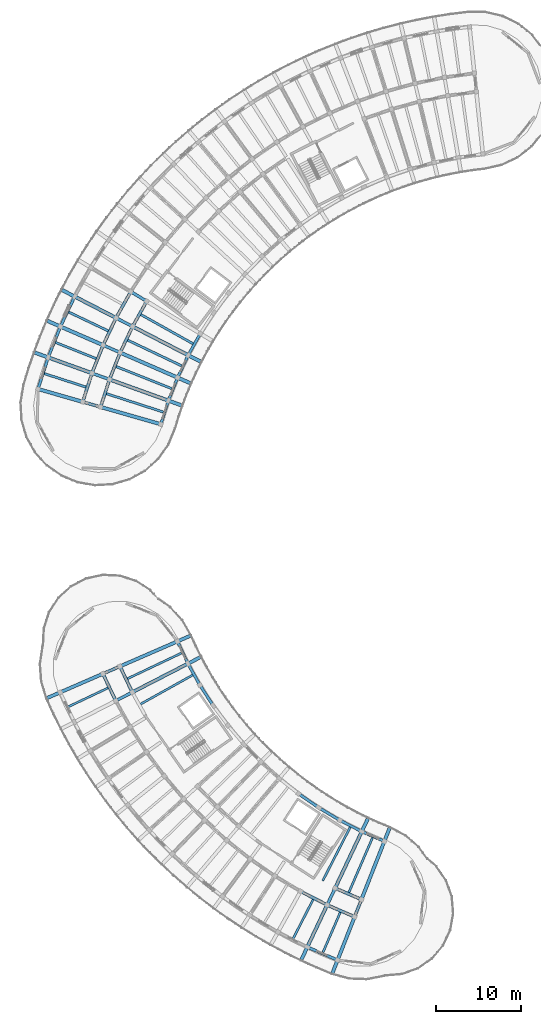
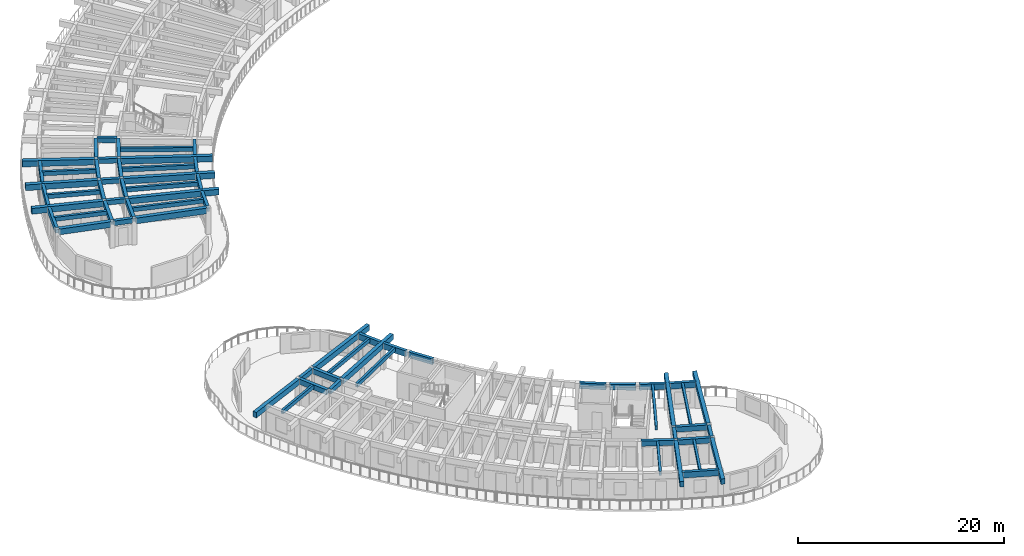
# One storey, part 5 of 56: 66 beams.
"""IFC4 building model written with IfcOpenShell, lengths in metres."""

import ifcopenshell
import ifcopenshell.guid

model = None  # the IFC model being written
_history = None  # IfcOwnerHistory: only IFC2X3 demands one
_inside = {}  # id of a spatial element -> (the spatial element, [elements in it])
_under = {}  # id of a project, library or spatial element -> (it, [spatial elements below it])
_declared = {}  # id of a project -> (the project, [libraries it declares])
_typed = {}  # id of a type object -> (the type object, [elements of that type])
_made_of = {}  # id of a material, layer set ... -> (it, [elements and type objects made of it])


def new_model(schema):
    """Start an empty IFC model of exactly this schema.

    Asked for "IFC4X3", IfcOpenShell would pick the latest addendum, in which some entities
    have other attributes; the version numbers below select the first issue.
    IFC2X3 requires an IfcOwnerHistory on every rooted entity: one is made here for all.
    """
    global model, _history
    if schema == "IFC4X3":
        model = ifcopenshell.file(schema_version=(4, 3, 0, 0))
    else:
        model = ifcopenshell.file(schema=schema)
    _inside.clear()
    _under.clear()
    _declared.clear()
    _typed.clear()
    _made_of.clear()
    _history = None
    if model.schema == "IFC2X3":
        org = make("IfcOrganization", Name="unknown")
        user = make(
            "IfcPersonAndOrganization",
            ThePerson=make("IfcPerson", FamilyName="unknown"),
            TheOrganization=org,
        )
        app = make(
            "IfcApplication",
            ApplicationDeveloper=org,
            Version="unknown",
            ApplicationFullName="unknown",
            ApplicationIdentifier="unknown",
        )
        _history = make(
            "IfcOwnerHistory",
            OwningUser=user,
            OwningApplication=app,
            ChangeAction="ADDED",
            CreationDate=0,
        )
    return model


def make(cls, **values):
    """One entity of the class cls with the attributes given. An attribute that is None is left unset."""
    return model.create_entity(
        cls, **{name: value for name, value in values.items() if value is not None}
    )


def rooted(cls, **values):
    """An entity with a GlobalId (a new one), such as an element, a storey or a relation."""
    return make(cls, GlobalId=ifcopenshell.guid.new(), OwnerHistory=_history, **values)


def si_unit(unit_type, name, prefix=None):
    """IfcSIUnit, for example si_unit("LENGTHUNIT", "METRE", prefix="MILLI")."""
    return make("IfcSIUnit", UnitType=unit_type, Prefix=prefix, Name=name)


def assignment(units):
    """IfcUnitAssignment: the units of a project."""
    return None if units is None else make("IfcUnitAssignment", Units=units)


def point(xyz):
    """IfcCartesianPoint."""
    return None if xyz is None else make("IfcCartesianPoint", Coordinates=xyz)


def direction(xyz):
    """IfcDirection."""
    return None if xyz is None else make("IfcDirection", DirectionRatios=xyz)


def frame(location, z_axis=None, x_axis=None):
    """IfcAxis2Placement3D, a coordinate frame: its origin and axes. An axis left out is left unset."""
    return make(
        "IfcAxis2Placement3D",
        Location=point(location),
        Axis=direction(z_axis),
        RefDirection=direction(x_axis),
    )


def frame_2d(location, x_axis=None):
    """IfcAxis2Placement2D, a coordinate frame in the plane: its origin and x axis."""
    return make(
        "IfcAxis2Placement2D", Location=point(location), RefDirection=direction(x_axis)
    )


def origin():
    """The frame at (0, 0, 0) with its axes left unset."""
    return frame((0.0, 0.0, 0.0))


def origin_2d():
    """The frame at (0, 0) in the plane with its x axis left unset."""
    return frame_2d((0.0, 0.0))


def place(relative_to, where):
    """IfcLocalPlacement: puts the frame where relative to a parent placement (None: the world)."""
    return make(
        "IfcLocalPlacement", PlacementRelTo=relative_to, RelativePlacement=where
    )


def context(
    kind, dimensions, precision=None, world=None, true_north=None, identifier=None
):
    """IfcGeometricRepresentationContext, for example the 3D "Model" context."""
    return make(
        "IfcGeometricRepresentationContext",
        ContextIdentifier=identifier,
        ContextType=kind,
        CoordinateSpaceDimension=dimensions,
        Precision=precision,
        WorldCoordinateSystem=world,
        TrueNorth=true_north,
    )


def subcontext(parent, identifier, kind, view, scale=None):
    """IfcGeometricRepresentationSubContext, for example "Body" below "Model"."""
    return make(
        "IfcGeometricRepresentationSubContext",
        ContextIdentifier=identifier,
        ContextType=kind,
        ParentContext=parent,
        TargetScale=scale,
        TargetView=view,
    )


def project(units=None, contexts=None):
    """IfcProject with its units and contexts."""
    return rooted(
        "IfcProject",
        Name="project",
        RepresentationContexts=contexts,
        UnitsInContext=assignment(units),
    )


def spatial(cls, under=None, at=None, **own):
    """A site, building, storey or space (cls), placed at a placement, below another one or the project."""
    s = rooted(cls, ObjectPlacement=at, **own)
    if under is not None:
        _under.setdefault(under.id(), (under, []))[1].append(s)
    return s


def profile(cls, at=None, kind="AREA", **sizes):
    """A parametric profile (cls). Its sizes go by their IFC names, for example OverallWidth=200.0."""
    return make(cls, ProfileType=kind, Position=at, **sizes)


def rectangle(**sizes):
    """IfcRectangleProfileDef."""
    return profile("IfcRectangleProfileDef", **sizes)


def extrude(swept, where, along, depth):
    """IfcExtrudedAreaSolid: the profile swept, set in the frame where, extruded along a direction by depth."""
    return make(
        "IfcExtrudedAreaSolid",
        SweptArea=swept,
        Position=where,
        ExtrudedDirection=direction(along),
        Depth=depth,
    )


def shape(context_of_items, identifier, shape_type, items):
    """IfcShapeRepresentation: the items that make up one representation, for example the "Body"."""
    return make(
        "IfcShapeRepresentation",
        ContextOfItems=context_of_items,
        RepresentationIdentifier=identifier,
        RepresentationType=shape_type,
        Items=items,
    )


def material(Name=None, Category=None):
    """IfcMaterial."""
    return make("IfcMaterial", Name=Name, Category=Category)


def material_profile(
    of_material, cross_section, Name=None, Category=None, Priority=None
):
    """IfcMaterialProfile: a cross section and its material."""
    return make(
        "IfcMaterialProfile",
        Name=Name,
        Material=of_material,
        Profile=cross_section,
        Priority=Priority,
        Category=Category,
    )


def profile_set(profiles, Name=None, composite=None):
    """IfcMaterialProfileSet."""
    return make(
        "IfcMaterialProfileSet",
        Name=Name,
        MaterialProfiles=profiles,
        CompositeProfile=composite,
    )


def made_of(thing, what):
    """Note that an element or type object is made of a material, layer set ...; save() writes the relation."""
    if what is not None:
        _made_of.setdefault(what.id(), (what, []))[1].append(thing)
    return thing


def type_object(cls, material=None, **own):
    """A type object (cls), such as IfcWallType, which elements share."""
    return made_of(rooted(cls, **own), material)


def element(
    cls,
    number,
    at=None,
    inside=None,
    cuts=None,
    type_object=None,
    material=None,
    context=None,
    identifier="Body",
    shape_type=None,
    held_by="IfcProductDefinitionShape",
    body=None,
    shapes=None,
    **own,
):
    """One element of the class cls, such as IfcWall. Its Tag is "e" and its number.

    at: its placement. inside: the storey or other place that contains it. cuts: it is an
    opening in that element (IfcRelVoidsElement). A single representation is given by context,
    identifier, shape_type and body (its items); several are given by shapes. held_by: the class
    of the entity that holds the representations. save() writes the other relations.
    """
    e = rooted(cls, Tag="e%d" % number, ObjectPlacement=at, **own)
    if body is not None:
        shapes = [shape(context, identifier, shape_type, body)]
    if shapes is not None:
        e.Representation = make(held_by, Representations=shapes)
    if inside is not None:
        _inside.setdefault(inside.id(), (inside, []))[1].append(e)
    if cuts is not None:
        rooted(
            "IfcRelVoidsElement", RelatingBuildingElement=cuts, RelatedOpeningElement=e
        )
    if type_object is not None:
        _typed.setdefault(type_object.id(), (type_object, []))[1].append(e)
    return made_of(e, material)


def aggregate(whole, parts):
    """IfcRelAggregates: a whole, such as a stair, and the parts it consists of."""
    return rooted("IfcRelAggregates", RelatingObject=whole, RelatedObjects=parts)


def save(model, path):
    """Write the relations noted so far, then the file.

    IfcRelAggregates (storeys below a building ...), IfcRelContainedInSpatialStructure (elements
    in a storey), IfcRelDefinesByType, IfcRelAssociatesMaterial and IfcRelDeclares: one each for
    every whole, place, type object, material and project.
    """
    for whole, parts in _under.values():
        aggregate(whole, parts)
    for where, things in _inside.values():
        rooted(
            "IfcRelContainedInSpatialStructure",
            RelatedElements=things,
            RelatingStructure=where,
        )
    for kind, things in _typed.values():
        rooted("IfcRelDefinesByType", RelatedObjects=things, RelatingType=kind)
    for what, things in _made_of.values():
        rooted("IfcRelAssociatesMaterial", RelatedObjects=things, RelatingMaterial=what)
    for by, libraries in _declared.values():
        rooted("IfcRelDeclares", RelatingContext=by, RelatedDefinitions=libraries)
    model.write(path)


model = new_model("IFC4")

# Units and contexts
model_context = context("Model", 3, precision=1e-05, world=origin(), true_north=direction((0.0, 1.0)))
body_context = subcontext(model_context, "Body", "Model", "MODEL_VIEW")
ifc_project = project(units=[si_unit("LENGTHUNIT", "METRE"), si_unit("AREAUNIT", "SQUARE_METRE"), si_unit("VOLUMEUNIT", "CUBIC_METRE"), si_unit("PLANEANGLEUNIT", "RADIAN"), si_unit("MASSUNIT", "GRAM", prefix="KILO")], contexts=[model_context])

# Site, building, storey
site_placement = place(None, origin())
site = spatial("IfcSite", under=ifc_project, at=site_placement, CompositionType="ELEMENT")
building_placement = place(site_placement, origin())
building = spatial("IfcBuilding", under=site, at=building_placement, Name="Tanwirah Colonnade Gardens", CompositionType="ELEMENT")
storey_placement = place(building_placement, frame((0.0, 0.0, 29.0)))
storey = spatial("IfcBuildingStorey", under=building, at=storey_placement, Name="L08", CompositionType="ELEMENT", Elevation=29.0)

# Beams
ifc_material_1 = material(Name="Precast concrete C40/50", Category="concrete")
ifc_material_profile_1 = material_profile(ifc_material_1, rectangle(XDim=0.360107421875, YDim=0.610107421875, at=origin_2d()), Name="PC-BM 360x610")
ifc_profile_set_1 = profile_set([ifc_material_profile_1], Name="Precast concrete C40/50")
beam_type_1 = type_object("IfcBeamType", Name="BM-PC300", PredefinedType="BEAM", material=ifc_profile_set_1)
beam_1_placement = place(storey_placement, frame((17.5146484375, 43.689453125, 2.81005859375), z_axis=(0.428520598641, -0.903532011907, 0.0), x_axis=(0.903532011907, 0.428520598641, 0.0)))
element("IfcBeam", 1, at=beam_1_placement, inside=storey, type_object=beam_type_1, Name="Block C L08 Circumferential Beam 2-R1", PredefinedType="BEAM", context=body_context, shape_type="SweptSolid", body=[
    extrude(rectangle(XDim=0.360107421875, YDim=0.610107421875, at=origin_2d()), origin(), (0.0, 0.0, 1.0), 3.093017578125),
])
beam_2_placement = place(storey_placement, frame((15.4970703125, 42.81201171875, 2.81005859375), z_axis=(0.428562893949, -0.903511951183, 0.0), x_axis=(0.903511951183, 0.428562893949, 0.0)))
element("IfcBeam", 2, at=beam_2_placement, inside=storey, type_object=beam_type_1, Name="Block C L08 Circumferential Beam 2-R2", PredefinedType="BEAM", context=body_context, shape_type="SweptSolid", body=[
    extrude(rectangle(XDim=0.360107421875, YDim=0.610107421875, at=origin_2d()), origin(), (0.0, 0.0, 1.0), 3.23681640625),
])
beam_3_placement = place(storey_placement, frame((38.929443359375, 17.158447265625, 2.81005859375), z_axis=(0.890025451153, -0.45591084249, 0.0), x_axis=(0.45591084249, 0.890025451153, 0.0)))
element("IfcBeam", 3, at=beam_3_placement, inside=storey, type_object=beam_type_1, Name="Block C L08 Circumferential Beam 12-R2", PredefinedType="BEAM", context=body_context, shape_type="SweptSolid", body=[
    extrude(rectangle(XDim=0.360107421875, YDim=0.610107421875, at=origin_2d()), origin(), (0.0, 0.0, 1.0), 3.237060546875),
])
beam_4_placement = place(storey_placement, frame((43.02001953125, 17.54443359375, 2.81005859375), z_axis=(0.917936292782, -0.396727819032, 0.0), x_axis=(0.396727819032, 0.917936292782, 0.0)))
element("IfcBeam", 4, at=beam_4_placement, inside=storey, type_object=beam_type_1, Name="Block C L08 Circumferential Beam 13-R1", PredefinedType="BEAM", context=body_context, shape_type="SweptSolid", body=[
    extrude(rectangle(XDim=0.360107421875, YDim=0.610107421875, at=origin_2d()), origin(), (0.0, 0.0, 1.0), 3.093017578125),
])
beam_5_placement = place(storey_placement, frame((42.08154296875, 15.5546875, 2.81005859375), z_axis=(0.917943156181, -0.396711938338, 0.0), x_axis=(0.396711938338, 0.917943156181, 0.0)))
element("IfcBeam", 5, at=beam_5_placement, inside=storey, type_object=beam_type_1, Name="Block C L08 Circumferential Beam 13-R2", PredefinedType="BEAM", context=body_context, shape_type="SweptSolid", body=[
    extrude(rectangle(XDim=0.360107421875, YDim=0.610107421875, at=origin_2d()), origin(), (0.0, 0.0, 1.0), 3.237060546875),
])
ifc_material_profile_2 = material_profile(ifc_material_1, rectangle(XDim=0.35009765625, YDim=0.550048828125, at=origin_2d()), Name="PC-BM 350x550")
ifc_profile_set_2 = profile_set([ifc_material_profile_2], Name="Precast concrete C40/50")
beam_type_2 = type_object("IfcBeamType", Name="BM-PC350A", PredefinedType="BEAM", material=ifc_profile_set_2)
for number, where, z_axis, x_axis, name in (
    (6, (20.479248046875, 87.068359375, 2.840087890625), (-0.856174920318, 0.516686080534, 0.0), (-0.516686080534, -0.856174920318, 0.0), "Block A L08 Corridor Tie Beam 14"),
    (7, (18.8056640625, 84.07666015625, 2.840087890625), (-0.888358643941, 0.459150214784, 0.0), (-0.459150214784, -0.888358643941, 0.0), "Block A L08 Corridor Tie Beam 15"),
    (8, (17.3330078125, 80.981201171875, 2.840087890625), (-0.916681481826, 0.399618644306, 0.0), (-0.399618644306, -0.916681481826, 0.0), "Block A L08 Corridor Tie Beam 16"),
    (9, (16.0673828125, 77.79541015625, 2.840087890625), (-0.941021664552, 0.338346311999, 0.0), (-0.338346311999, -0.941021664552, 0.0), "Block A L08 Corridor Tie Beam 17"),
    (10, (15.014404296875, 74.533203125, 2.840087890625), (-0.961266538157, 0.275620468433, 0.0), (-0.275620468433, -0.961266538157, 0.0), "Block A L08 Corridor Tie Beam 18"),
):
    element("IfcBeam", number, at=place(storey_placement, frame(where, z_axis=z_axis, x_axis=x_axis)), inside=storey, type_object=beam_type_2, Name=name, PredefinedType="BEAM", context=body_context, shape_type="SweptSolid", body=[
        extrude(rectangle(XDim=0.35009765625, YDim=0.550048828125, at=origin_2d()), origin(), (0.0, 0.0, 1.0), 1.89990234375),
    ])
beam_6_placement = place(storey_placement, frame((17.31298828125, 43.76513671875, 2.840087890625), z_axis=(-0.917025109963, -0.398829471952, 0.0), x_axis=(0.398829471952, -0.917025109963, 0.0)))
element("IfcBeam", 11, at=beam_6_placement, inside=storey, type_object=beam_type_2, Name="Block C L08 Corridor Tie Beam 2", PredefinedType="BEAM", context=body_context, shape_type="SweptSolid", body=[
    extrude(rectangle(XDim=0.35009765625, YDim=0.550048828125, at=origin_2d()), origin(), (0.0, 0.0, 1.0), 1.900146484375),
])
for number, where, z_axis, x_axis, name in (
    (12, (18.77099609375, 40.690673828125, 2.840087890625), (-0.888965044602, -0.457975053334, 0.0), (0.457975053334, -0.888965044602, 0.0), "Block C L08 Corridor Tie Beam 3"),
    (13, (42.818359375, 17.46826171875, 2.840087890625), (-0.426483812015, -0.904495195172, 0.0), (0.904495195172, -0.426483812015, 0.0), "Block C L08 Corridor Tie Beam 13"),
):
    element("IfcBeam", number, at=place(storey_placement, frame(where, z_axis=z_axis, x_axis=x_axis)), inside=storey, type_object=beam_type_2, Name=name, PredefinedType="BEAM", context=body_context, shape_type="SweptSolid", body=[
        extrude(rectangle(XDim=0.35009765625, YDim=0.550048828125, at=origin_2d()), origin(), (0.0, 0.0, 1.0), 1.89990234375),
    ])
beam_7_placement = place(storey_placement, frame((45.94189453125, 16.1181640625, 2.840087890625), z_axis=(-0.366511033969, -0.930413704746, 0.0), x_axis=(0.930413704746, -0.366511033969, 0.0)))
element("IfcBeam", 14, at=beam_7_placement, inside=storey, type_object=beam_type_2, Name="Block C L08 Corridor Tie Beam 14", PredefinedType="BEAM", context=body_context, shape_type="SweptSolid", body=[
    extrude(rectangle(XDim=0.35009765625, YDim=0.550048828125, at=origin_2d()), origin(), (0.0, 0.0, 1.0), 1.899658203125),
])
ifc_material_profile_3 = material_profile(ifc_material_1, rectangle(XDim=0.35009765625, YDim=0.60009765625, at=origin_2d()), Name="PC-BM 350x600")
ifc_profile_set_3 = profile_set([ifc_material_profile_3], Name="Precast concrete C40/50")
beam_type_3 = type_object("IfcBeamType", Name="BM-PC350B", PredefinedType="BEAM", material=ifc_profile_set_3)
beam_8_placement = place(storey_placement, frame((20.534423828125, 86.85986328125, 2.81494140625), z_axis=(-0.488200372352, -0.872731571811, 0.0), x_axis=(0.872731571811, -0.488200372352, 0.0)))
element("IfcBeam", 15, at=beam_8_placement, inside=storey, type_object=beam_type_3, Name="Block A L08 Circumferential Beam 14-R1", PredefinedType="BEAM", context=body_context, shape_type="SweptSolid", body=[
    extrude(rectangle(XDim=0.35009765625, YDim=0.60009765625, at=origin_2d()), origin(), (0.0, 0.0, 1.0), 3.117919921875),
])
beam_9_placement = place(storey_placement, frame((18.65087890625, 87.99658203125, 2.81494140625), z_axis=(-0.488213717102, -0.87272410671, 0.0), x_axis=(0.87272410671, -0.488213717102, 0.0)))
element("IfcBeam", 16, at=beam_9_placement, inside=storey, type_object=beam_type_3, Name="Block A L08 Circumferential Beam 14-R2", PredefinedType="BEAM", context=body_context, shape_type="SweptSolid", body=[
    extrude(rectangle(XDim=0.35009765625, YDim=0.60009765625, at=origin_2d()), origin(), (0.0, 0.0, 1.0), 3.262939453125),
])
beam_10_placement = place(storey_placement, frame((18.87451171875, 83.872314453125, 2.81494140625), z_axis=(-0.429620507728, -0.903009534468, 0.0), x_axis=(0.903009534468, -0.429620507728, 0.0)))
element("IfcBeam", 17, at=beam_10_placement, inside=storey, type_object=beam_type_3, Name="Block A L08 Circumferential Beam 15-R1", PredefinedType="BEAM", context=body_context, shape_type="SweptSolid", body=[
    extrude(rectangle(XDim=0.35009765625, YDim=0.60009765625, at=origin_2d()), origin(), (0.0, 0.0, 1.0), 3.1181640625),
])
beam_11_placement = place(storey_placement, frame((16.920166015625, 84.882568359375, 2.81494140625), z_axis=(-0.4295908638, -0.90302363742, 0.0), x_axis=(0.90302363742, -0.4295908638, 0.0)))
element("IfcBeam", 18, at=beam_11_placement, inside=storey, type_object=beam_type_3, Name="Block A L08 Circumferential Beam 15-R2", PredefinedType="BEAM", context=body_context, shape_type="SweptSolid", body=[
    extrude(rectangle(XDim=0.35009765625, YDim=0.60009765625, at=origin_2d()), origin(), (0.0, 0.0, 1.0), 3.26318359375),
])
beam_12_placement = place(storey_placement, frame((17.4150390625, 80.78173828125, 2.81494140625), z_axis=(-0.369189105832, -0.929354294193, 0.0), x_axis=(0.929354294193, -0.369189105832, 0.0)))
element("IfcBeam", 19, at=beam_12_placement, inside=storey, type_object=beam_type_3, Name="Block A L08 Circumferential Beam 16-R1", PredefinedType="BEAM", context=body_context, shape_type="SweptSolid", body=[
    extrude(rectangle(XDim=0.35009765625, YDim=0.60009765625, at=origin_2d()), origin(), (0.0, 0.0, 1.0), 3.117919921875),
])
beam_13_placement = place(storey_placement, frame((15.3984375, 81.6611328125, 2.81494140625), z_axis=(-0.369209712056, -0.929346108037, 0.0), x_axis=(0.929346108037, -0.369209712056, 0.0)))
element("IfcBeam", 20, at=beam_13_placement, inside=storey, type_object=beam_type_3, Name="Block A L08 Circumferential Beam 16-R2", PredefinedType="BEAM", context=body_context, shape_type="SweptSolid", body=[
    extrude(rectangle(XDim=0.35009765625, YDim=0.60009765625, at=origin_2d()), origin(), (0.0, 0.0, 1.0), 3.26318359375),
])
beam_14_placement = place(storey_placement, frame((16.162353515625, 77.601806640625, 2.81494140625), z_axis=(-0.307169780148, -0.951654730542, 0.0), x_axis=(0.951654730542, -0.307169780148, 0.0)))
element("IfcBeam", 21, at=beam_14_placement, inside=storey, type_object=beam_type_3, Name="Block A L08 Circumferential Beam 17-R1", PredefinedType="BEAM", context=body_context, shape_type="SweptSolid", body=[
    extrude(rectangle(XDim=0.35009765625, YDim=0.60009765625, at=origin_2d()), origin(), (0.0, 0.0, 1.0), 3.117919921875),
])
beam_15_placement = place(storey_placement, frame((14.09228515625, 78.34619140625, 2.81494140625), z_axis=(-0.307212636327, -0.9516408966, 0.0), x_axis=(0.9516408966, -0.307212636327, 0.0)))
element("IfcBeam", 22, at=beam_15_placement, inside=storey, type_object=beam_type_3, Name="Block A L08 Circumferential Beam 17-R2", PredefinedType="BEAM", context=body_context, shape_type="SweptSolid", body=[
    extrude(rectangle(XDim=0.35009765625, YDim=0.60009765625, at=origin_2d()), origin(), (0.0, 0.0, 1.0), 3.262939453125),
])
ifc_material_2 = material(Name="Precast concrete C45/55", Category="concrete")
ifc_material_profile_4 = material_profile(ifc_material_2, rectangle(XDim=0.39990234375, YDim=0.64990234375, at=origin_2d()), Name="PC-BM 400x650")
ifc_profile_set_4 = profile_set([ifc_material_profile_4], Name="Precast concrete C45/55")
beam_type_4 = type_object("IfcBeamType", Name="BM-PC400", PredefinedType="BEAM", material=ifc_profile_set_4)
beam_16_placement = place(storey_placement, frame((17.587890625, 43.884765625, 2.7900390625), z_axis=(0.917069622575, 0.398727108872, 0.0), x_axis=(-0.398727108872, 0.917069622575, 0.0)))
element("IfcBeam", 23, at=beam_16_placement, inside=storey, type_object=beam_type_4, Name="Block C L08 Inner Radial Precast Girder 2", PredefinedType="BEAM", context=body_context, shape_type="SweptSolid", body=[
    extrude(rectangle(XDim=0.39990234375, YDim=0.64990234375, at=origin_2d()), origin(), (0.0, 0.0, 1.0), 8.949951171875),
])
beam_17_placement = place(storey_placement, frame((15.29541015625, 42.8876953125, 2.7900390625), z_axis=(-0.91706895514, -0.398728643965, 0.0), x_axis=(0.398728643965, -0.91706895514, 0.0)))
element("IfcBeam", 24, at=beam_17_placement, inside=storey, type_object=beam_type_4, Name="Block C L08 Outer Radial Precast Girder 2", PredefinedType="BEAM", context=body_context, shape_type="SweptSolid", body=[
    extrude(rectangle(XDim=0.39990234375, YDim=0.64990234375, at=origin_2d()), origin(), (0.0, 0.0, 1.0), 7.050048828125),
])
for number, where, z_axis, x_axis, name in (
    (25, (19.037841796875, 40.827880859375, 2.7900390625), (0.889022337846, 0.457863825619, 0.0), (-0.457863825619, 0.889022337846, 0.0), "Block C L08 Inner Radial Precast Girder 3"),
    (26, (42.9462890625, 17.73974609375, 2.7900390625), (0.426582468098, 0.904448670689, 0.0), (-0.904448670689, 0.426582468098, 0.0), "Block C L08 Inner Radial Precast Girder 13"),
):
    element("IfcBeam", number, at=place(storey_placement, frame(where, z_axis=z_axis, x_axis=x_axis)), inside=storey, type_object=beam_type_4, Name=name, PredefinedType="BEAM", context=body_context, shape_type="SweptSolid", body=[
        extrude(rectangle(XDim=0.39990234375, YDim=0.64990234375, at=origin_2d()), origin(), (0.0, 0.0, 1.0), 8.949951171875),
    ])
beam_18_placement = place(storey_placement, frame((41.8798828125, 15.478515625, 2.7900390625), z_axis=(-0.426567365945, -0.904455793453, 0.0), x_axis=(0.904455793453, -0.426567365945, 0.0)))
element("IfcBeam", 27, at=beam_18_placement, inside=storey, type_object=beam_type_4, Name="Block C L08 Outer Radial Precast Girder 13", PredefinedType="BEAM", context=body_context, shape_type="SweptSolid", body=[
    extrude(rectangle(XDim=0.39990234375, YDim=0.64990234375, at=origin_2d()), origin(), (0.0, 0.0, 1.0), 7.050048828125),
])
beam_19_placement = place(storey_placement, frame((46.052001953125, 16.3974609375, 2.7900390625), z_axis=(0.36648945479, 0.930422204984, 0.0), x_axis=(-0.930422204984, 0.36648945479, 0.0)))
element("IfcBeam", 28, at=beam_19_placement, inside=storey, type_object=beam_type_4, Name="Block C L08 Inner Radial Precast Girder 14", PredefinedType="BEAM", context=body_context, shape_type="SweptSolid", body=[
    extrude(rectangle(XDim=0.39990234375, YDim=0.64990234375, at=origin_2d()), origin(), (0.0, 0.0, 1.0), 8.949951171875),
])
beam_20_placement = place(storey_placement, frame((45.1357421875, 14.0712890625, 2.7900390625), z_axis=(-0.366525426804, -0.930408034953, 0.0), x_axis=(0.930408034953, -0.366525426804, 0.0)))
element("IfcBeam", 29, at=beam_20_placement, inside=storey, type_object=beam_type_4, Name="Block C L08 Outer Radial Precast Girder 14", PredefinedType="BEAM", context=body_context, shape_type="SweptSolid", body=[
    extrude(rectangle(XDim=0.39990234375, YDim=0.64990234375, at=origin_2d()), origin(), (0.0, 0.0, 1.0), 7.050048828125),
])
ifc_material_profile_5 = material_profile(ifc_material_2, rectangle(XDim=0.419921875, YDim=0.679931640625, at=origin_2d()), Name="PC-BM 420x680")
ifc_profile_set_5 = profile_set([ifc_material_profile_5], Name="Precast concrete C45/55")
beam_type_5 = type_object("IfcBeamType", Name="BM-PC420", PredefinedType="BEAM", material=ifc_profile_set_5)
beam_21_placement = place(storey_placement, frame((19.072265625, 83.93896484375, 2.77490234375), z_axis=(0.888345427876, -0.459175784175, 0.0), x_axis=(0.459175784175, 0.888345427876, 0.0)))
element("IfcBeam", 30, at=beam_21_placement, inside=storey, type_object=beam_type_5, Name="Block A L08 Inner Radial Precast Girder 15", PredefinedType="BEAM", context=body_context, shape_type="SweptSolid", body=[
    extrude(rectangle(XDim=0.419921875, YDim=0.679931640625, at=origin_2d()), origin(), (0.0, 0.0, 1.0), 8.949951171875),
])
beam_22_placement = place(storey_placement, frame((16.851318359375, 85.0869140625, 2.77490234375), z_axis=(-0.888348690665, 0.459169471758, 0.0), x_axis=(-0.459169471758, -0.888348690665, 0.0)))
element("IfcBeam", 31, at=beam_22_placement, inside=storey, type_object=beam_type_5, Name="Block A L08 Outer Radial Precast Girder 15", PredefinedType="BEAM", context=body_context, shape_type="SweptSolid", body=[
    extrude(rectangle(XDim=0.419921875, YDim=0.679931640625, at=origin_2d()), origin(), (0.0, 0.0, 1.0), 7.0498046875),
])
beam_23_placement = place(storey_placement, frame((17.60791015625, 80.861328125, 2.77490234375), z_axis=(0.916669317869, -0.399646545934, 0.0), x_axis=(0.399646545934, 0.916669317869, 0.0)))
element("IfcBeam", 32, at=beam_23_placement, inside=storey, type_object=beam_type_5, Name="Block A L08 Inner Radial Precast Girder 16", PredefinedType="BEAM", context=body_context, shape_type="SweptSolid", body=[
    extrude(rectangle(XDim=0.419921875, YDim=0.679931640625, at=origin_2d()), origin(), (0.0, 0.0, 1.0), 8.9501953125),
])
beam_24_placement = place(storey_placement, frame((15.31640625, 81.8603515625, 2.77490234375), z_axis=(-0.916678725612, 0.399624966702, 0.0), x_axis=(-0.399624966702, -0.916678725612, 0.0)))
element("IfcBeam", 33, at=beam_24_placement, inside=storey, type_object=beam_type_5, Name="Block A L08 Outer Radial Precast Girder 16", PredefinedType="BEAM", context=body_context, shape_type="SweptSolid", body=[
    extrude(rectangle(XDim=0.419921875, YDim=0.679931640625, at=origin_2d()), origin(), (0.0, 0.0, 1.0), 7.050048828125),
])
beam_25_placement = place(storey_placement, frame((16.349609375, 77.69384765625, 2.77490234375), z_axis=(0.941017049702, -0.338359146723, 0.0), x_axis=(0.338359146723, 0.941017049702, 0.0)))
element("IfcBeam", 34, at=beam_25_placement, inside=storey, type_object=beam_type_5, Name="Block A L08 Inner Radial Precast Girder 17", PredefinedType="BEAM", context=body_context, shape_type="SweptSolid", body=[
    extrude(rectangle(XDim=0.419921875, YDim=0.679931640625, at=origin_2d()), origin(), (0.0, 0.0, 1.0), 8.949951171875),
])
beam_26_placement = place(storey_placement, frame((13.9970703125, 78.539794921875, 2.77490234375), z_axis=(-0.941011841171, 0.338373631917, 0.0), x_axis=(-0.338373631917, -0.941011841171, 0.0)))
element("IfcBeam", 35, at=beam_26_placement, inside=storey, type_object=beam_type_5, Name="Block A L08 Outer Radial Precast Girder 17", PredefinedType="BEAM", context=body_context, shape_type="SweptSolid", body=[
    extrude(rectangle(XDim=0.419921875, YDim=0.679931640625, at=origin_2d()), origin(), (0.0, 0.0, 1.0), 7.0498046875),
])
beam_27_placement = place(storey_placement, frame((15.302734375, 74.450439453125, 2.77490234375), z_axis=(0.961261397636, -0.275638396117, 0.0), x_axis=(0.275638396117, 0.961261397636, 0.0)))
element("IfcBeam", 36, at=beam_27_placement, inside=storey, type_object=beam_type_5, Name="Block A L08 Inner Radial Precast Girder 18", PredefinedType="BEAM", context=body_context, shape_type="SweptSolid", body=[
    extrude(rectangle(XDim=0.419921875, YDim=0.679931640625, at=origin_2d()), origin(), (0.0, 0.0, 1.0), 7.10009765625),
])
beam_28_placement = place(storey_placement, frame((12.899658203125, 75.1396484375, 2.77490234375), z_axis=(-0.961271958689, 0.275601562836, 0.0), x_axis=(-0.275601562836, -0.961271958689, 0.0)))
element("IfcBeam", 37, at=beam_28_placement, inside=storey, type_object=beam_type_5, Name="Block A L08 Outer Radial Precast Girder 18", PredefinedType="BEAM", context=body_context, shape_type="SweptSolid", body=[
    extrude(rectangle(XDim=0.419921875, YDim=0.679931640625, at=origin_2d()), origin(), (0.0, 0.0, 1.0), 5.199951171875),
])
ifc_material_profile_6 = material_profile(ifc_material_1, rectangle(XDim=0.25, YDim=0.449951171875, at=origin_2d()), Name="PC-JST 250x450")
ifc_profile_set_6 = profile_set([ifc_material_profile_6], Name="Precast concrete C40/50")
beam_type_6 = type_object("IfcBeamType", Name="JST-PC250", PredefinedType="JOIST", material=ifc_profile_set_6)
beam_29_placement = place(storey_placement, frame((16.05615234375, 41.285888671875, 2.889892578125), z_axis=(-0.903517509842, -0.428551174785, 0.0), x_axis=(0.428551174785, -0.903517509842, 0.0)))
element("IfcBeam", 38, at=beam_29_placement, inside=storey, type_object=beam_type_6, Name="Block C L08 Precast Floor Joist 2", PredefinedType="JOIST", context=body_context, shape_type="SweptSolid", body=[
    extrude(rectangle(XDim=0.25, YDim=0.449951171875, at=origin_2d()), origin(), (0.0, 0.0, 1.0), 5.260009765625),
])
for number, where, z_axis, x_axis, name in (
    (39, (24.72998046875, 45.39990234375, 2.889892578125), (-0.903522492189, -0.428540670308, 0.0), (0.428540670308, -0.903522492189, 0.0), "Block C L08 Inner Precast Floor Joist 2"),
    (40, (26.0654296875, 42.80712890625, 2.889892578125), (-0.873559899034, -0.486716655561, 0.0), (0.486716655561, -0.873559899034, 0.0), "Block C L08 Inner Precast Floor Joist 3"),
):
    element("IfcBeam", number, at=place(storey_placement, frame(where, z_axis=z_axis, x_axis=x_axis)), inside=storey, type_object=beam_type_6, Name=name, PredefinedType="JOIST", context=body_context, shape_type="SweptSolid", body=[
        extrude(rectangle(XDim=0.25, YDim=0.449951171875, at=origin_2d()), origin(), (0.0, 0.0, 1.0), 7.159912109375),
    ])
beam_30_placement = place(storey_placement, frame((40.302001953125, 16.287841796875, 2.889892578125), z_axis=(-0.455936851617, -0.890012127635, 0.0), x_axis=(0.890012127635, -0.455936851617, 0.0)))
element("IfcBeam", 41, at=beam_30_placement, inside=storey, type_object=beam_type_6, Name="Block C L08 Precast Floor Joist 12", PredefinedType="JOIST", context=body_context, shape_type="SweptSolid", body=[
    extrude(rectangle(XDim=0.25, YDim=0.449951171875, at=origin_2d()), origin(), (0.0, 0.0, 1.0), 5.260009765625),
])
beam_31_placement = place(storey_placement, frame((44.678955078125, 24.83203125, 2.889892578125), z_axis=(-0.455921327553, -0.890020080157, 0.0), x_axis=(0.890020080157, -0.455921327553, 0.0)))
element("IfcBeam", 42, at=beam_31_placement, inside=storey, type_object=beam_type_6, Name="Block C L08 Inner Precast Floor Joist 12", PredefinedType="JOIST", context=body_context, shape_type="SweptSolid", body=[
    extrude(rectangle(XDim=0.25, YDim=0.449951171875, at=origin_2d()), origin(), (0.0, 0.0, 1.0), 7.159912109375),
])
beam_32_placement = place(storey_placement, frame((43.50830078125, 14.77587890625, 2.889892578125), z_axis=(-0.396746282, -0.917928312952, 0.0), x_axis=(0.917928312952, -0.396746282, 0.0)))
element("IfcBeam", 43, at=beam_32_placement, inside=storey, type_object=beam_type_6, Name="Block C L08 Precast Floor Joist 13", PredefinedType="JOIST", context=body_context, shape_type="SweptSolid", body=[
    extrude(rectangle(XDim=0.25, YDim=0.449951171875, at=origin_2d()), origin(), (0.0, 0.0, 1.0), 5.260009765625),
])
beam_33_placement = place(storey_placement, frame((47.31689453125, 23.587890625, 2.889892578125), z_axis=(-0.396736454079, -0.917932560706, 0.0), x_axis=(0.917932560706, -0.396736454079, 0.0)))
element("IfcBeam", 44, at=beam_33_placement, inside=storey, type_object=beam_type_6, Name="Block C L08 Inner Precast Floor Joist 13", PredefinedType="JOIST", context=body_context, shape_type="SweptSolid", body=[
    extrude(rectangle(XDim=0.25, YDim=0.449951171875, at=origin_2d()), origin(), (0.0, 0.0, 1.0), 7.159912109375),
])
ifc_material_profile_7 = material_profile(ifc_material_1, rectangle(XDim=0.280029296875, YDim=0.47998046875, at=origin_2d()), Name="PC-JST 280x480")
ifc_profile_set_7 = profile_set([ifc_material_profile_7], Name="Precast concrete C40/50")
beam_type_7 = type_object("IfcBeamType", Name="JST-PC280", PredefinedType="JOIST", material=ifc_profile_set_7)
beam_34_placement = place(storey_placement, frame((26.102294921875, 81.958984375, 2.875), z_axis=(-0.872726875563, 0.488208767506, 0.0), x_axis=(-0.488208767506, -0.872726875563, 0.0)))
element("IfcBeam", 45, at=beam_34_placement, inside=storey, type_object=beam_type_7, Name="Block A L08 Inner Precast Floor Joist 14", PredefinedType="JOIST", context=body_context, shape_type="SweptSolid", body=[
    extrude(rectangle(XDim=0.280029296875, YDim=0.47998046875, at=origin_2d()), origin(), (0.0, 0.0, 1.0), 7.16015625),
])
beam_35_placement = place(storey_placement, frame((16.08447265625, 83.473388671875, 2.875), z_axis=(-0.903018314862, 0.429602051931, 0.0), x_axis=(-0.429602051931, -0.903018314862, 0.0)))
element("IfcBeam", 46, at=beam_35_placement, inside=storey, type_object=beam_type_7, Name="Block A L08 Precast Floor Joist 15", PredefinedType="JOIST", context=body_context, shape_type="SweptSolid", body=[
    extrude(rectangle(XDim=0.280029296875, YDim=0.47998046875, at=origin_2d()), origin(), (0.0, 0.0, 1.0), 5.26025390625),
])
beam_36_placement = place(storey_placement, frame((24.753173828125, 79.348876953125, 2.875), z_axis=(-0.903005429363, 0.429629136048, 0.0), x_axis=(-0.429629136048, -0.903005429363, 0.0)))
element("IfcBeam", 47, at=beam_36_placement, inside=storey, type_object=beam_type_7, Name="Block A L08 Inner Precast Floor Joist 15", PredefinedType="JOIST", context=body_context, shape_type="SweptSolid", body=[
    extrude(rectangle(XDim=0.280029296875, YDim=0.47998046875, at=origin_2d()), origin(), (0.0, 0.0, 1.0), 7.16015625),
])
beam_37_placement = place(storey_placement, frame((14.6572265625, 80.199951171875, 2.875), z_axis=(-0.929357539836, 0.369180935517, 0.0), x_axis=(-0.369180935517, -0.929357539836, 0.0)))
element("IfcBeam", 48, at=beam_37_placement, inside=storey, type_object=beam_type_7, Name="Block A L08 Precast Floor Joist 16", PredefinedType="JOIST", context=body_context, shape_type="SweptSolid", body=[
    extrude(rectangle(XDim=0.280029296875, YDim=0.47998046875, at=origin_2d()), origin(), (0.0, 0.0, 1.0), 5.260009765625),
])
beam_38_placement = place(storey_placement, frame((23.578857421875, 76.655517578125, 2.875), z_axis=(-0.929344232768, 0.369214432303, 0.0), x_axis=(-0.369214432303, -0.929344232768, 0.0)))
element("IfcBeam", 49, at=beam_38_placement, inside=storey, type_object=beam_type_7, Name="Block A L08 Inner Precast Floor Joist 16", PredefinedType="JOIST", context=body_context, shape_type="SweptSolid", body=[
    extrude(rectangle(XDim=0.280029296875, YDim=0.47998046875, at=origin_2d()), origin(), (0.0, 0.0, 1.0), 7.159912109375),
])
beam_39_placement = place(storey_placement, frame((13.448974609375, 76.839599609375, 2.875), z_axis=(-0.951656985441, 0.307162794072, 0.0), x_axis=(-0.307162794072, -0.951656985441, 0.0)))
element("IfcBeam", 50, at=beam_39_placement, inside=storey, type_object=beam_type_7, Name="Block A L08 Precast Floor Joist 17", PredefinedType="JOIST", context=body_context, shape_type="SweptSolid", body=[
    extrude(rectangle(XDim=0.280029296875, YDim=0.47998046875, at=origin_2d()), origin(), (0.0, 0.0, 1.0), 5.26025390625),
])
beam_40_placement = place(storey_placement, frame((22.584716796875, 73.890625, 2.875), z_axis=(-0.951647858625, 0.307191069489, 0.0), x_axis=(-0.307191069489, -0.951647858625, 0.0)))
element("IfcBeam", 51, at=beam_40_placement, inside=storey, type_object=beam_type_7, Name="Block A L08 Inner Precast Floor Joist 17", PredefinedType="JOIST", context=body_context, shape_type="SweptSolid", body=[
    extrude(rectangle(XDim=0.280029296875, YDim=0.47998046875, at=origin_2d()), origin(), (0.0, 0.0, 1.0), 7.159912109375),
])
ifc_material_profile_8 = material_profile(ifc_material_1, rectangle(XDim=0.330078125, YDim=0.68994140625, at=origin_2d()), Name="PC-SP 330x690")
ifc_profile_set_8 = profile_set([ifc_material_profile_8], Name="Precast concrete C40/50")
beam_type_8 = type_object("IfcBeamType", Name="SP-PC280", PredefinedType="SPANDREL", material=ifc_profile_set_8)
beam_41_placement = place(storey_placement, frame((24.301025390625, 46.64013671875, 2.77001953125), z_axis=(0.428512709915, -0.903535753272, 0.0), x_axis=(0.903535753272, 0.428512709915, 0.0)))
element("IfcBeam", 52, at=beam_41_placement, inside=storey, type_object=beam_type_8, Name="Block C L08 Circumferential Beam 2-R0", PredefinedType="SPANDREL", context=body_context, shape_type="SweptSolid", body=[
    extrude(rectangle(XDim=0.330078125, YDim=0.68994140625, at=origin_2d()), origin(), (0.0, 0.0, 1.0), 2.60888671875),
])
beam_42_placement = place(storey_placement, frame((25.55615234375, 44.016357421875, 2.77001953125), z_axis=(0.486747049114, -0.873542964129, 0.0), x_axis=(0.873542964129, 0.486747049114, 0.0)))
element("IfcBeam", 53, at=beam_42_placement, inside=storey, type_object=beam_type_8, Name="Block C L08 Circumferential Beam 3-R0", PredefinedType="SPANDREL", context=body_context, shape_type="SweptSolid", body=[
    extrude(rectangle(XDim=0.330078125, YDim=0.68994140625, at=origin_2d()), origin(), (0.0, 0.0, 1.0), 2.608642578125),
])
for number, where, z_axis, x_axis, name in (
    (54, (26.980224609375, 41.48046875, 2.77001953125), (0.542874837406, -0.83981361677, 0.0), (0.83981361677, 0.542874837406, 0.0), "Block C L08 Circumferential Beam 4-R0"),
    (55, (38.68359375, 28.683349609375, 2.77001953125), (0.822868771031, -0.568231454305, 0.0), (0.568231454305, 0.822868771031, 0.0), "Block C L08 Circumferential Beam 10-R0"),
):
    element("IfcBeam", number, at=place(storey_placement, frame(where, z_axis=z_axis, x_axis=x_axis)), inside=storey, type_object=beam_type_8, Name=name, PredefinedType="SPANDREL", context=body_context, shape_type="SweptSolid", body=[
        extrude(rectangle(XDim=0.330078125, YDim=0.68994140625, at=origin_2d()), origin(), (0.0, 0.0, 1.0), 2.60888671875),
    ])
for number, where, z_axis, x_axis, name in (
    (56, (41.08251953125, 27.038818359375, 2.77001953125), (0.858301131151, -0.513146341958, 0.0), (0.513146341958, 0.858301131151, 0.0), "Block C L08 Circumferential Beam 11-R0"),
    (57, (43.583740234375, 25.5546875, 2.77001953125), (0.890042438658, -0.455877678097, 0.0), (0.455877678097, 0.890042438658, 0.0), "Block C L08 Circumferential Beam 12-R0"),
    (58, (46.1767578125, 24.237548828125, 2.77001953125), (0.917901260915, -0.396808864833, 0.0), (0.396808864833, 0.917901260915, 0.0), "Block C L08 Circumferential Beam 13-R0"),
):
    element("IfcBeam", number, at=place(storey_placement, frame(where, z_axis=z_axis, x_axis=x_axis)), inside=storey, type_object=beam_type_8, Name=name, PredefinedType="SPANDREL", context=body_context, shape_type="SweptSolid", body=[
        extrude(rectangle(XDim=0.330078125, YDim=0.68994140625, at=origin_2d()), origin(), (0.0, 0.0, 1.0), 2.608642578125),
    ])
beam_43_placement = place(storey_placement, frame((39.735595703125, 10.580078125, 2.77001953125), z_axis=(0.917925861765, -0.396751953118, 0.0), x_axis=(0.396751953118, 0.917925861765, 0.0)))
element("IfcBeam", 59, at=beam_43_placement, inside=storey, type_object=beam_type_8, Name="Block C L08 Circumferential Beam 13-R3", PredefinedType="SPANDREL", context=body_context, shape_type="SweptSolid", body=[
    extrude(rectangle(XDim=0.330078125, YDim=0.68994140625, at=origin_2d()), origin(), (0.0, 0.0, 1.0), 3.5966796875),
])
ifc_material_profile_9 = material_profile(ifc_material_2, rectangle(XDim=0.320068359375, YDim=0.679931640625, at=origin_2d()), Name="PC-SP 320x680")
ifc_profile_set_9 = profile_set([ifc_material_profile_9], Name="Precast concrete C45/55")
beam_type_9 = type_object("IfcBeamType", Name="SP-PC320", PredefinedType="SPANDREL", material=ifc_profile_set_9)
beam_44_placement = place(storey_placement, frame((26.8701171875, 83.036376953125, 2.77490234375), z_axis=(-0.488170837957, -0.872748092503, 0.0), x_axis=(0.872748092503, -0.488170837957, 0.0)))
element("IfcBeam", 60, at=beam_44_placement, inside=storey, type_object=beam_type_9, Name="Block A L08 Circumferential Beam 14-R0", PredefinedType="SPANDREL", context=body_context, shape_type="SweptSolid", body=[
    extrude(rectangle(XDim=0.320068359375, YDim=0.679931640625, at=origin_2d()), origin(), (0.0, 0.0, 1.0), 2.630126953125),
])
beam_45_placement = place(storey_placement, frame((25.448486328125, 80.474609375, 2.77490234375), z_axis=(-0.42964173036, -0.902999437172, 0.0), x_axis=(0.902999437172, -0.42964173036, 0.0)))
element("IfcBeam", 61, at=beam_45_placement, inside=storey, type_object=beam_type_9, Name="Block A L08 Circumferential Beam 15-R0", PredefinedType="SPANDREL", context=body_context, shape_type="SweptSolid", body=[
    extrude(rectangle(XDim=0.320068359375, YDim=0.679931640625, at=origin_2d()), origin(), (0.0, 0.0, 1.0), 2.63037109375),
])
beam_46_placement = place(storey_placement, frame((12.0341796875, 87.407958984375, 2.77490234375), z_axis=(-0.429593766142, -0.903022256698, 0.0), x_axis=(0.903022256698, -0.429593766142, 0.0)))
element("IfcBeam", 62, at=beam_46_placement, inside=storey, type_object=beam_type_9, Name="Block A L08 Circumferential Beam 15-R3", PredefinedType="SPANDREL", context=body_context, shape_type="SweptSolid", body=[
    extrude(rectangle(XDim=0.320068359375, YDim=0.679931640625, at=origin_2d()), origin(), (0.0, 0.0, 1.0), 3.625732421875),
])
beam_47_placement = place(storey_placement, frame((24.198486328125, 77.824462890625, 2.77490234375), z_axis=(-0.369245181709, -0.929332015904, 0.0), x_axis=(0.929332015904, -0.369245181709, 0.0)))
element("IfcBeam", 63, at=beam_47_placement, inside=storey, type_object=beam_type_9, Name="Block A L08 Circumferential Beam 16-R0", PredefinedType="SPANDREL", context=body_context, shape_type="SweptSolid", body=[
    extrude(rectangle(XDim=0.320068359375, YDim=0.679931640625, at=origin_2d()), origin(), (0.0, 0.0, 1.0), 2.630126953125),
])
beam_48_placement = place(storey_placement, frame((10.356689453125, 83.859130859375, 2.77490234375), z_axis=(-0.369195460985, -0.929351769562, 0.0), x_axis=(0.929351769562, -0.369195460985, 0.0)))
element("IfcBeam", 64, at=beam_48_placement, inside=storey, type_object=beam_type_9, Name="Block A L08 Circumferential Beam 16-R3", PredefinedType="SPANDREL", context=body_context, shape_type="SweptSolid", body=[
    extrude(rectangle(XDim=0.320068359375, YDim=0.679931640625, at=origin_2d()), origin(), (0.0, 0.0, 1.0), 3.625732421875),
])
beam_49_placement = place(storey_placement, frame((23.1259765625, 75.097900390625, 2.77490234375), z_axis=(-0.307219720817, -0.951638609526, 0.0), x_axis=(0.951638609526, -0.307219720817, 0.0)))
element("IfcBeam", 65, at=beam_49_placement, inside=storey, type_object=beam_type_9, Name="Block A L08 Circumferential Beam 17-R0", PredefinedType="SPANDREL", context=body_context, shape_type="SweptSolid", body=[
    extrude(rectangle(XDim=0.320068359375, YDim=0.679931640625, at=origin_2d()), origin(), (0.0, 0.0, 1.0), 2.63037109375),
])
beam_50_placement = place(storey_placement, frame((8.916748046875, 80.207275390625, 2.77490234375), z_axis=(-0.307183773768, -0.951650213647, 0.0), x_axis=(0.951650213647, -0.307183773768, 0.0)))
element("IfcBeam", 66, at=beam_50_placement, inside=storey, type_object=beam_type_9, Name="Block A L08 Circumferential Beam 17-R3", PredefinedType="SPANDREL", context=body_context, shape_type="SweptSolid", body=[
    extrude(rectangle(XDim=0.320068359375, YDim=0.679931640625, at=origin_2d()), origin(), (0.0, 0.0, 1.0), 3.625732421875),
])

save(model, "model.ifc")
